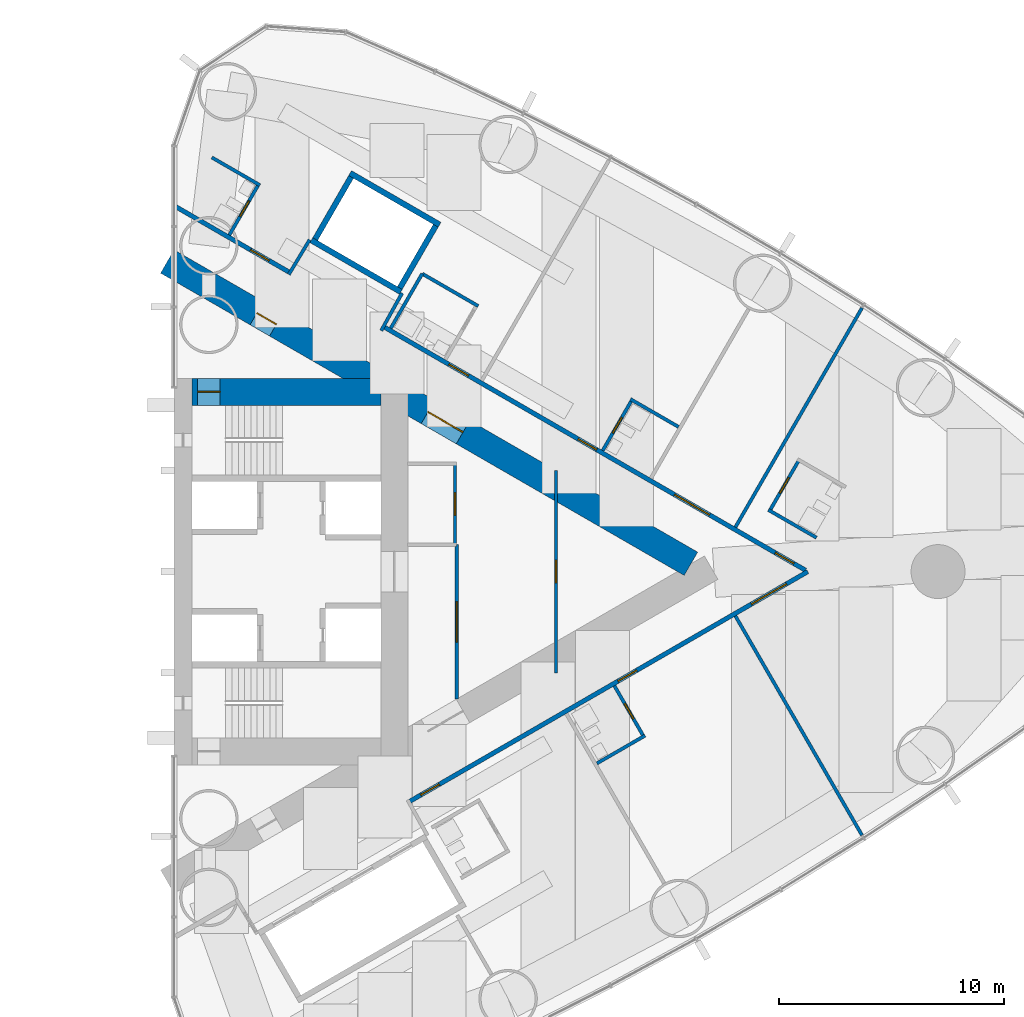
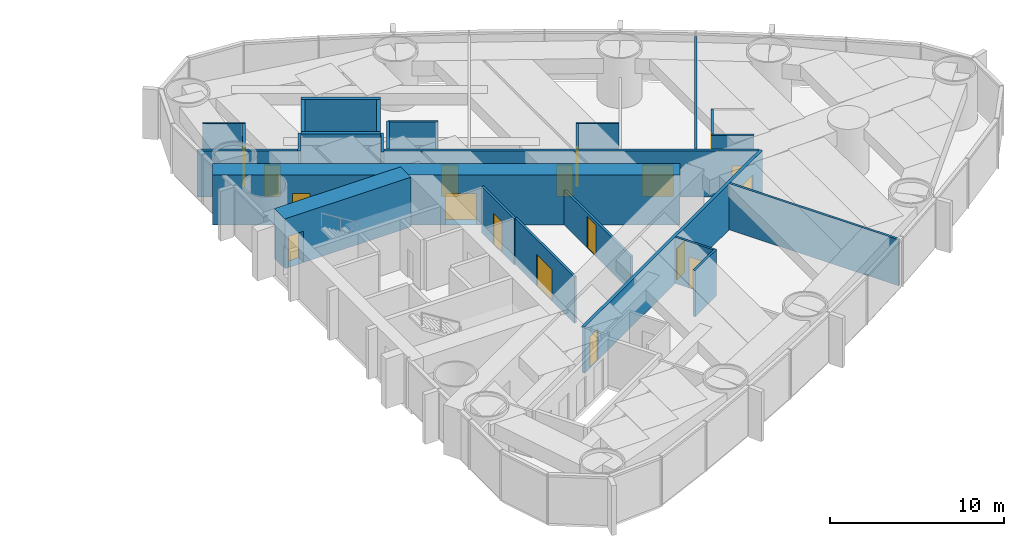
# One storey, part 15 of 19: 26 walls, 18 doors, 18 openings.
"""IFC4 building model written with IfcOpenShell, lengths in metres."""

from ifc_helpers import new_model, si_unit, direction, frame, frame_2d, origin, place, context, subcontext, project, spatial, rectangle, extrude, material, layer, layer_set, type_object, element, fill, save


model = new_model("IFC4")

# Units and contexts
model_context = context("Model", 3, precision=1e-05, world=origin(), true_north=direction((0.0, 1.0)))
body_context = subcontext(model_context, "Body", "Model", "MODEL_VIEW")
ifc_project = project(units=[si_unit("LENGTHUNIT", "METRE"), si_unit("AREAUNIT", "SQUARE_METRE"), si_unit("VOLUMEUNIT", "CUBIC_METRE"), si_unit("PLANEANGLEUNIT", "RADIAN"), si_unit("MASSUNIT", "GRAM", prefix="KILO")], contexts=[model_context])

# Site, building, storey
site_placement = place(None, origin())
site = spatial("IfcSite", under=ifc_project, at=site_placement, CompositionType="ELEMENT")
building_placement = place(site_placement, origin())
building = spatial("IfcBuilding", under=site, at=building_placement, Name="Lancet Gate Hotel", CompositionType="ELEMENT")
storey_placement = place(building_placement, frame((0.0, 0.0, 132.60009765625)))
storey = spatial("IfcBuildingStorey", under=building, at=storey_placement, Name="L35", CompositionType="ELEMENT", Elevation=132.60009765625)

# Wall
ifc_material_1 = material(Name="Moisture resistant board partition")
ifc_layer_1 = layer(ifc_material_1, 0.14990234375)
ifc_layer_set_1 = layer_set([ifc_layer_1], Name="Bathroom wall 150")
wall_type_1 = type_object("IfcWallType", Name="Bathroom wall 150", PredefinedType="PARTITIONING", material=ifc_layer_set_1)
wall_1_placement = place(storey_placement, frame((46.318603515625, -8.535400390625, 0.0), z_axis=(0.0, 0.0, 1.0), x_axis=(0.866006523861, 0.500032699561, 0.0)))
element("IfcWall", 1, at=wall_1_placement, inside=storey, type_object=wall_type_1, Name="T2 bathroom wall 150 L35", PredefinedType="PARTITIONING", context=body_context, shape_type="SweptSolid", body=[
    extrude(rectangle(XDim=2.474853515625, YDim=0.14990234375, at=frame_2d((1.2373046875, 0.0))), origin(), (0.0, 0.0, 1.0), 3.25),
])

# Wall, opening, door
wall_2_placement = place(storey_placement, frame((47.096923828125, -5.083740234375, 0.0), z_axis=(0.0, 0.0, 1.0), x_axis=(0.500006934395, -0.866021400173, 0.0)))
wall_2 = element("IfcWall", 2, at=wall_2_placement, inside=storey, type_object=wall_type_1, Name="T2 bathroom wall 150 L35", PredefinedType="PARTITIONING", context=body_context, shape_type="SweptSolid", body=[
    extrude(rectangle(XDim=2.60009765625, YDim=0.14990234375, at=frame_2d((1.300048828125, 0.0))), origin(), (0.0, 0.0, 1.0), 3.25),
])
opening_1_placement = place(wall_2_placement, frame((0.89990234375, 0.0, 0.0)))
opening_1 = element("IfcOpeningElement", 3, at=opening_1_placement, cuts=wall_2, Name="Opening 3555-B", PredefinedType="OPENING", context=body_context, shape_type="SweptSolid", body=[
    extrude(rectangle(XDim=0.800048828125, YDim=2.199951171875, at=frame_2d((0.39990234375, 1.10009765625))), frame((0.0, 0.0849609375, 0.0), z_axis=(0.0, -1.0, 0.0), x_axis=(1.0, 0.0, 0.0)), (0.0, 0.0, 1.0), 0.169921875),
])
ifc_material_2 = material(Name="Timber door set", Category="wood")
door_type_1 = type_object("IfcDoorType", Name="Bathroom door 800", OperationType="SINGLE_SWING_RIGHT", PredefinedType="DOOR", material=ifc_material_2)
door_1_placement = place(opening_1_placement, origin())
door_1 = element("IfcDoor", 4, at=door_1_placement, inside=storey, type_object=door_type_1, Name="3555-B", OperationType="SINGLE_SWING_RIGHT", OverallHeight=2.199951171875, OverallWidth=0.800048828125, PredefinedType="DOOR", context=body_context, shape_type="SweptSolid", body=[
    extrude(rectangle(XDim=0.800048828125, YDim=2.199951171875, at=frame_2d((0.39990234375, 1.10009765625))), frame((0.0, 0.02490234375, 0.0), z_axis=(0.0, -1.0, 0.0), x_axis=(1.0, 0.0, 0.0)), (0.0, 0.0, 1.0), 0.050048828125),
])
fill(opening_1, door_1)

wall_3_placement = place(storey_placement, frame((54.010009765625, 2.708984375, 0.0), z_axis=(0.0, 0.0, 1.0), x_axis=(0.500006934395, 0.866021400173, 0.0)))
wall_3 = element("IfcWall", 5, at=wall_3_placement, inside=storey, type_object=wall_type_1, Name="T2 bathroom wall 150 L35", PredefinedType="PARTITIONING", context=body_context, shape_type="SweptSolid", body=[
    extrude(rectangle(XDim=2.60009765625, YDim=0.14990234375, at=frame_2d((1.300048828125, 0.0))), origin(), (0.0, 0.0, 1.0), 3.25),
])
opening_2_placement = place(wall_3_placement, frame((0.89990234375, 0.0, 0.0)))
opening_2 = element("IfcOpeningElement", 6, at=opening_2_placement, cuts=wall_3, Name="Opening 3558-B", PredefinedType="OPENING", context=body_context, shape_type="SweptSolid", body=[
    extrude(rectangle(XDim=0.800048828125, YDim=2.199951171875, at=frame_2d((0.39990234375, 1.10009765625))), frame((0.0, 0.0849609375, 0.0), z_axis=(0.0, -1.0, 0.0), x_axis=(1.0, 0.0, 0.0)), (0.0, 0.0, 1.0), 0.169921875),
])
door_2_placement = place(opening_2_placement, origin())
door_2 = element("IfcDoor", 7, at=door_2_placement, inside=storey, type_object=door_type_1, Name="3558-B", OperationType="SINGLE_SWING_RIGHT", OverallHeight=2.199951171875, OverallWidth=0.800048828125, PredefinedType="DOOR", context=body_context, shape_type="SweptSolid", body=[
    extrude(rectangle(XDim=0.800048828125, YDim=2.199951171875, at=frame_2d((0.39990234375, 1.10009765625))), frame((0.0, 0.02490234375, 0.0), z_axis=(0.0, -1.0, 0.0), x_axis=(1.0, 0.0, 0.0)), (0.0, 0.0, 1.0), 0.050048828125),
])
fill(opening_2, door_2)

# Walls
for number, where, z_axis, x_axis, name in (
    (8, (53.945068359375, 2.74658203125, 0.0), (0.0, 0.0, 1.0), (0.866031185235, -0.4999899861, 0.0), "T2 bathroom wall 150 L35"),
    (9, (47.81005859375, 7.67431640625, 0.0), (0.0, 0.0, 1.0), (0.866031185235, -0.4999899861, 0.0), "T2 bathroom wall 150 L35"),
):
    element("IfcWall", number, at=place(storey_placement, frame(where, z_axis=z_axis, x_axis=x_axis)), inside=storey, type_object=wall_type_1, Name=name, PredefinedType="PARTITIONING", context=body_context, shape_type="SweptSolid", body=[
        extrude(rectangle(XDim=2.47509765625, YDim=0.14990234375, at=frame_2d((1.237548828125, 0.0))), origin(), (0.0, 0.0, 1.0), 3.25),
    ])

# Wall, opening, door
wall_4_placement = place(storey_placement, frame((46.574951171875, 5.385009765625, 0.0), z_axis=(0.0, 0.0, 1.0), x_axis=(0.500006934395, 0.866021400173, 0.0)))
wall_4 = element("IfcWall", 10, at=wall_4_placement, inside=storey, type_object=wall_type_1, Name="T2 bathroom wall 150 L35", PredefinedType="PARTITIONING", context=body_context, shape_type="SweptSolid", body=[
    extrude(rectangle(XDim=2.60009765625, YDim=0.14990234375, at=frame_2d((1.300048828125, 0.0))), origin(), (0.0, 0.0, 1.0), 3.25),
])
opening_3_placement = place(wall_4_placement, frame((0.89990234375, 0.0, 0.0)))
opening_3 = element("IfcOpeningElement", 11, at=opening_3_placement, cuts=wall_4, Name="Opening 3560-B", PredefinedType="OPENING", context=body_context, shape_type="SweptSolid", body=[
    extrude(rectangle(XDim=0.800048828125, YDim=2.199951171875, at=frame_2d((0.39990234375, 1.10009765625))), frame((0.0, 0.0849609375, 0.0), z_axis=(0.0, -1.0, 0.0), x_axis=(1.0, 0.0, 0.0)), (0.0, 0.0, 1.0), 0.169921875),
])
door_3_placement = place(opening_3_placement, origin())
door_3 = element("IfcDoor", 12, at=door_3_placement, inside=storey, type_object=door_type_1, Name="3560-B", OperationType="SINGLE_SWING_RIGHT", OverallHeight=2.199951171875, OverallWidth=0.800048828125, PredefinedType="DOOR", context=body_context, shape_type="SweptSolid", body=[
    extrude(rectangle(XDim=0.800048828125, YDim=2.199951171875, at=frame_2d((0.39990234375, 1.10009765625))), frame((0.0, 0.02490234375, 0.0), z_axis=(0.0, -1.0, 0.0), x_axis=(1.0, 0.0, 0.0)), (0.0, 0.0, 1.0), 0.050048828125),
])
fill(opening_3, door_3)

# Walls
wall_5_placement = place(storey_placement, frame((38.5439453125, 13.255126953125, 0.0), z_axis=(0.0, 0.0, 1.0), x_axis=(0.866018712932, -0.500011588718, 0.0)))
element("IfcWall", 13, at=wall_5_placement, inside=storey, type_object=wall_type_1, Name="T2 bathroom wall 150 L35", PredefinedType="PARTITIONING", context=body_context, shape_type="SweptSolid", body=[
    extrude(rectangle(XDim=2.875, YDim=0.14990234375, at=frame_2d((1.4375, 0.0))), origin(), (0.0, 0.0, 1.0), 3.25),
])
wall_6_placement = place(storey_placement, frame((37.143798828125, 10.830078125, 0.0), z_axis=(0.0, 0.0, 1.0), x_axis=(0.500011755427, 0.866018616679, 0.0)))
element("IfcWall", 14, at=wall_6_placement, inside=storey, type_object=wall_type_1, Name="T2 bathroom wall 150 L35", PredefinedType="PARTITIONING", context=body_context, shape_type="SweptSolid", body=[
    extrude(rectangle(XDim=2.80029296875, YDim=0.14990234375, at=frame_2d((1.400146484375, 0.0))), origin(), (0.0, 0.0, 1.0), 3.25),
])
wall_7_placement = place(storey_placement, frame((29.181884765625, 18.42919921875, 0.0), z_axis=(0.0, 0.0, 1.0), x_axis=(0.866006523861, -0.500032699561, 0.0)))
element("IfcWall", 15, at=wall_7_placement, inside=storey, type_object=wall_type_1, Name="T2 bathroom wall 150 L35", PredefinedType="PARTITIONING", context=body_context, shape_type="SweptSolid", body=[
    extrude(rectangle(XDim=2.474853515625, YDim=0.14990234375, at=frame_2d((1.2373046875, 0.0))), origin(), (0.0, 0.0, 1.0), 3.25),
])

# Wall, opening, door
wall_8_placement = place(storey_placement, frame((29.960205078125, 14.9775390625, 0.0), z_axis=(0.0, 0.0, 1.0), x_axis=(0.500006934395, 0.866021400173, 0.0)))
wall_8 = element("IfcWall", 16, at=wall_8_placement, inside=storey, type_object=wall_type_1, Name="T2 bathroom wall 150 L35", PredefinedType="PARTITIONING", context=body_context, shape_type="SweptSolid", body=[
    extrude(rectangle(XDim=2.60009765625, YDim=0.14990234375, at=frame_2d((1.300048828125, 0.0))), origin(), (0.0, 0.0, 1.0), 3.25),
])
opening_4_placement = place(wall_8_placement, frame((0.949951171875, 0.0, 0.0)))
opening_4 = element("IfcOpeningElement", 17, at=opening_4_placement, cuts=wall_8, Name="Opening 3564-B", PredefinedType="OPENING", context=body_context, shape_type="SweptSolid", body=[
    extrude(rectangle(XDim=0.800048828125, YDim=2.199951171875, at=frame_2d((0.39990234375, 1.10009765625))), frame((0.0, 0.0849609375, 0.0), z_axis=(0.0, -1.0, 0.0), x_axis=(1.0, 0.0, 0.0)), (0.0, 0.0, 1.0), 0.169921875),
])
door_4_placement = place(opening_4_placement, origin())
door_4 = element("IfcDoor", 18, at=door_4_placement, inside=storey, type_object=door_type_1, Name="3564-B", OperationType="SINGLE_SWING_RIGHT", OverallHeight=2.199951171875, OverallWidth=0.800048828125, PredefinedType="DOOR", context=body_context, shape_type="SweptSolid", body=[
    extrude(rectangle(XDim=0.800048828125, YDim=2.199951171875, at=frame_2d((0.39990234375, 1.10009765625))), frame((0.0, 0.02490234375, 0.0), z_axis=(0.0, -1.0, 0.0), x_axis=(1.0, 0.0, 0.0)), (0.0, 0.0, 1.0), 0.050048828125),
])
fill(opening_4, door_4)

# Wall, openings, doors
ifc_material_3 = material(Name="Concrete C70/85", Category="concrete")
ifc_layer_2 = layer(ifc_material_3, 1.199951171875)
ifc_layer_set_2 = layer_set([ifc_layer_2], Name="Buttress wall 1200")
wall_type_2 = type_object("IfcWallType", Name="Buttress wall 1200", PredefinedType="SHEAR", material=ifc_layer_set_2)
wall_9_placement = place(storey_placement, frame((27.199951171875, 13.800048828125, 0.0), z_axis=(0.0, 0.0, 1.0), x_axis=(0.866024515034, -0.500001539357, 0.0)))
wall_9 = element("IfcWall", 19, at=wall_9_placement, inside=storey, type_object=wall_type_2, Name="T2 buttress wall N L35", PredefinedType="SHEAR", context=body_context, shape_type="SweptSolid", body=[
    extrude(rectangle(XDim=26.9072265625, YDim=1.199951171875, at=frame_2d((13.45361328125, 0.0))), origin(), (0.0, 0.0, 1.0), 3.5),
])
opening_5_placement = place(wall_9_placement, frame((4.60009765625, 0.0, 0.0)))
opening_5 = element("IfcOpeningElement", 20, at=opening_5_placement, cuts=wall_9, Name="Opening T2-L35-LN", PredefinedType="OPENING", context=body_context, shape_type="SweptSolid", body=[
    extrude(rectangle(XDim=1.0, YDim=2.199951171875, at=frame_2d((0.5, 1.10009765625))), frame((0.0, 0.60986328125, 0.0), z_axis=(0.0, -1.0, 0.0), x_axis=(1.0, 0.0, 0.0)), (0.0, 0.0, 1.0), 1.219970703125),
])
opening_6_placement = place(wall_9_placement, frame((13.39453125, 0.0, 0.0)))
opening_6 = element("IfcOpeningElement", 21, at=opening_6_placement, cuts=wall_9, Name="Opening T2-L35-LHN", PredefinedType="OPENING", context=body_context, shape_type="SweptSolid", body=[
    extrude(rectangle(XDim=1.800048828125, YDim=2.199951171875, at=frame_2d((0.89990234375, 1.10009765625))), frame((0.0, 0.60986328125, 0.0), z_axis=(0.0, -1.0, 0.0), x_axis=(1.0, 0.0, 0.0)), (0.0, 0.0, 1.0), 1.219970703125),
])
ifc_material_4 = material(Name="Timber door set", Category="wood")
door_type_2 = type_object("IfcDoorType", Name="Lobby double door 1800", OperationType="DOUBLE_DOOR_SINGLE_SWING", PredefinedType="DOOR", material=ifc_material_4)
door_5_placement = place(opening_6_placement, origin())
door_5 = element("IfcDoor", 22, at=door_5_placement, inside=storey, type_object=door_type_2, Name="T2-L35-LHN", OperationType="DOUBLE_DOOR_SINGLE_SWING", OverallHeight=2.199951171875, OverallWidth=1.800048828125, PredefinedType="DOOR", context=body_context, shape_type="SweptSolid", body=[
    extrude(rectangle(XDim=1.800048828125, YDim=2.199951171875, at=frame_2d((0.89990234375, 1.10009765625))), frame((0.0, 0.02490234375, 0.0), z_axis=(0.0, -1.0, 0.0), x_axis=(1.0, 0.0, 0.0)), (0.0, 0.0, 1.0), 0.050048828125),
])
fill(opening_6, door_5)
ifc_material_5 = material(Name="Timber door set", Category="wood")
door_type_3 = type_object("IfcDoorType", Name="Stair lobby door 1000", OperationType="SINGLE_SWING_LEFT", PredefinedType="DOOR", material=ifc_material_5)
door_6_placement = place(opening_5_placement, origin())
door_6 = element("IfcDoor", 23, at=door_6_placement, inside=storey, type_object=door_type_3, Name="T2-L35-LN", OperationType="SINGLE_SWING_LEFT", OverallHeight=2.199951171875, OverallWidth=1.0, PredefinedType="DOOR", context=body_context, shape_type="SweptSolid", body=[
    extrude(rectangle(XDim=1.0, YDim=2.199951171875, at=frame_2d((0.5, 1.10009765625))), frame((0.0, 0.02490234375, 0.0), z_axis=(0.0, -1.0, 0.0), x_axis=(1.0, 0.0, 0.0)), (0.0, 0.0, 1.0), 0.050048828125),
])
fill(opening_5, door_6)

# Wall, opening, door
ifc_material_6 = material(Name="Concrete C70/85", Category="concrete")
ifc_layer_3 = layer(ifc_material_6, 1.199951171875)
ifc_layer_set_3 = layer_set([ifc_layer_3], Name="Core wall 1200")
wall_type_3 = type_object("IfcWallType", Name="Core wall 1200", PredefinedType="SHEAR", material=ifc_layer_set_3)
wall_10_placement = place(storey_placement, frame((28.300048828125, 8.0, 0.0), z_axis=(0.0, 0.0, 1.0), x_axis=(1.0, 0.0, 0.0)))
wall_10 = element("IfcWall", 24, at=wall_10_placement, inside=storey, type_object=wall_type_3, Name="T2 core wall side-N L35", PredefinedType="SHEAR", context=body_context, shape_type="SweptSolid", body=[
    extrude(rectangle(XDim=8.39990234375, YDim=1.199951171875, at=frame_2d((4.199951171875, 0.0))), origin(), (0.0, 0.0, 1.0), 3.5),
])
opening_7_placement = place(wall_10_placement, frame((0.25, 0.0, 0.0)))
opening_7 = element("IfcOpeningElement", 25, at=opening_7_placement, cuts=wall_10, Name="Opening T2-L35-ST2", PredefinedType="OPENING", context=body_context, shape_type="SweptSolid", body=[
    extrude(rectangle(XDim=1.0, YDim=2.199951171875, at=frame_2d((0.5, 1.10009765625))), frame((0.0, 0.60986328125, 0.0), z_axis=(0.0, -1.0, 0.0), x_axis=(1.0, 0.0, 0.0)), (0.0, 0.0, 1.0), 1.219970703125),
])
ifc_material_7 = material(Name="Timber door set", Category="wood")
door_type_4 = type_object("IfcDoorType", Name="Stair door 1000", OperationType="SINGLE_SWING_RIGHT", PredefinedType="DOOR", material=ifc_material_7)
door_7_placement = place(opening_7_placement, origin())
door_7 = element("IfcDoor", 26, at=door_7_placement, inside=storey, type_object=door_type_4, Name="T2-L35-ST2", OperationType="SINGLE_SWING_RIGHT", OverallHeight=2.199951171875, OverallWidth=1.0, PredefinedType="DOOR", context=body_context, shape_type="SweptSolid", body=[
    extrude(rectangle(XDim=1.0, YDim=2.199951171875, at=frame_2d((0.5, 1.10009765625))), frame((0.0, 0.02490234375, 0.0), z_axis=(0.0, -1.0, 0.0), x_axis=(1.0, 0.0, 0.0)), (0.0, 0.0, 1.0), 0.050048828125),
])
fill(opening_7, door_7)

# Wall, openings, doors
ifc_material_8 = material(Name="Gypsum board partition")
ifc_layer_4 = layer(ifc_material_8, 0.199951171875)
ifc_layer_set_4 = layer_set([ifc_layer_4], Name="Corridor wall 200")
wall_type_4 = type_object("IfcWallType", Name="Corridor wall 200", PredefinedType="PARTITIONING", material=ifc_layer_set_4)
wall_11_placement = place(storey_placement, frame((37.9599609375, -10.243408203125, 0.0), z_axis=(0.0, 0.0, 1.0), x_axis=(0.866026429433, 0.499998223521, 0.0)))
wall_11 = element("IfcWall", 27, at=wall_11_placement, inside=storey, type_object=wall_type_4, Name="T2 corridor wall 200 L35", PredefinedType="PARTITIONING", context=body_context, shape_type="SweptSolid", body=[
    extrude(rectangle(XDim=20.48681640625, YDim=0.199951171875, at=frame_2d((10.243408203125, 0.0))), origin(), (0.0, 0.0, 1.0), 3.25),
])
opening_8_placement = place(wall_11_placement, frame((10.74267578125, 0.0, 0.0)))
opening_8 = element("IfcOpeningElement", 28, at=opening_8_placement, cuts=wall_11, Name="Opening 3555-E", PredefinedType="OPENING", context=body_context, shape_type="SweptSolid", body=[
    extrude(rectangle(XDim=0.949951171875, YDim=2.199951171875, at=frame_2d((0.47509765625, 1.10009765625))), frame((0.0, 0.10986328125, 0.0), z_axis=(0.0, -1.0, 0.0), x_axis=(1.0, 0.0, 0.0)), (0.0, 0.0, 1.0), 0.219970703125),
])
opening_9_placement = place(wall_11_placement, frame((17.5859375, 0.0, 0.0)))
opening_9 = element("IfcOpeningElement", 29, at=opening_9_placement, cuts=wall_11, Name="Opening 3557-E", PredefinedType="OPENING", context=body_context, shape_type="SweptSolid", body=[
    extrude(rectangle(XDim=1.800048828125, YDim=2.199951171875, at=frame_2d((0.89990234375, 1.10009765625))), frame((0.0, 0.10986328125, 0.0), z_axis=(0.0, -1.0, 0.0), x_axis=(1.0, 0.0, 0.0)), (0.0, 0.0, 1.0), 0.219970703125),
])
opening_10_placement = place(wall_11_placement, frame((0.60009765625, 0.0, 0.0)))
opening_10 = element("IfcOpeningElement", 30, at=opening_10_placement, cuts=wall_11, Name="Opening 3553-E", PredefinedType="OPENING", context=body_context, shape_type="SweptSolid", body=[
    extrude(rectangle(XDim=0.949951171875, YDim=2.199951171875, at=frame_2d((0.47509765625, 1.10009765625))), frame((0.0, 0.10986328125, 0.0), z_axis=(0.0, -1.0, 0.0), x_axis=(1.0, 0.0, 0.0)), (0.0, 0.0, 1.0), 0.219970703125),
])
ifc_material_9 = material(Name="Timber door set", Category="wood")
door_type_5 = type_object("IfcDoorType", Name="Double door 1800", OperationType="DOUBLE_DOOR_SINGLE_SWING", PredefinedType="DOOR", material=ifc_material_9)
door_8_placement = place(opening_9_placement, origin())
door_8 = element("IfcDoor", 31, at=door_8_placement, inside=storey, type_object=door_type_5, Name="3557-E", OperationType="DOUBLE_DOOR_SINGLE_SWING", OverallHeight=2.199951171875, OverallWidth=1.800048828125, PredefinedType="DOOR", context=body_context, shape_type="SweptSolid", body=[
    extrude(rectangle(XDim=1.800048828125, YDim=2.199951171875, at=frame_2d((0.89990234375, 1.10009765625))), frame((0.0, 0.02490234375, 0.0), z_axis=(0.0, -1.0, 0.0), x_axis=(1.0, 0.0, 0.0)), (0.0, 0.0, 1.0), 0.050048828125),
])
fill(opening_9, door_8)
ifc_material_10 = material(Name="Timber door set", Category="wood")
door_type_6 = type_object("IfcDoorType", Name="Guest room entry door 950", OperationType="SINGLE_SWING_LEFT", PredefinedType="DOOR", material=ifc_material_10)
door_9_placement = place(opening_8_placement, origin())
door_9 = element("IfcDoor", 32, at=door_9_placement, inside=storey, type_object=door_type_6, Name="3555-E", OperationType="SINGLE_SWING_LEFT", OverallHeight=2.199951171875, OverallWidth=0.949951171875, PredefinedType="DOOR", context=body_context, shape_type="SweptSolid", body=[
    extrude(rectangle(XDim=0.949951171875, YDim=2.199951171875, at=frame_2d((0.47509765625, 1.10009765625))), frame((0.0, 0.02490234375, 0.0), z_axis=(0.0, -1.0, 0.0), x_axis=(1.0, 0.0, 0.0)), (0.0, 0.0, 1.0), 0.050048828125),
])
fill(opening_8, door_9)
door_10_placement = place(opening_10_placement, origin())
door_10 = element("IfcDoor", 33, at=door_10_placement, inside=storey, type_object=door_type_6, Name="3553-E", OperationType="SINGLE_SWING_LEFT", OverallHeight=2.199951171875, OverallWidth=0.949951171875, PredefinedType="DOOR", context=body_context, shape_type="SweptSolid", body=[
    extrude(rectangle(XDim=0.949951171875, YDim=2.199951171875, at=frame_2d((0.47509765625, 1.10009765625))), frame((0.0, 0.02490234375, 0.0), z_axis=(0.0, -1.0, 0.0), x_axis=(1.0, 0.0, 0.0)), (0.0, 0.0, 1.0), 0.050048828125),
])
fill(opening_10, door_10)

# Wall, opening, door
wall_12_placement = place(storey_placement, frame((27.572021484375, 16.240966796875, 0.0), z_axis=(0.0, 0.0, 1.0), x_axis=(0.866032814021, -0.499987164874, 0.0)))
wall_12 = element("IfcWall", 34, at=wall_12_placement, inside=storey, type_object=wall_type_4, Name="T2 corridor wall 200 L35", PredefinedType="PARTITIONING", context=body_context, shape_type="SweptSolid", body=[
    extrude(rectangle(XDim=5.854736328125, YDim=0.199951171875, at=frame_2d((2.92724609375, 0.0))), origin(), (0.0, 0.0, 1.0), 3.25),
])
opening_11_placement = place(wall_12_placement, frame((3.85009765625, 0.0, 0.0)))
opening_11 = element("IfcOpeningElement", 35, at=opening_11_placement, cuts=wall_12, Name="Opening 3564-E", PredefinedType="OPENING", context=body_context, shape_type="SweptSolid", body=[
    extrude(rectangle(XDim=0.949951171875, YDim=2.199951171875, at=frame_2d((0.47509765625, 1.10009765625))), frame((0.0, 0.10986328125, 0.0), z_axis=(0.0, -1.0, 0.0), x_axis=(1.0, 0.0, 0.0)), (0.0, 0.0, 1.0), 0.219970703125),
])
door_11_placement = place(opening_11_placement, origin())
door_11 = element("IfcDoor", 36, at=door_11_placement, inside=storey, type_object=door_type_6, Name="3564-E", OperationType="SINGLE_SWING_LEFT", OverallHeight=2.199951171875, OverallWidth=0.949951171875, PredefinedType="DOOR", context=body_context, shape_type="SweptSolid", body=[
    extrude(rectangle(XDim=0.949951171875, YDim=2.199951171875, at=frame_2d((0.47509765625, 1.10009765625))), frame((0.0, 0.02490234375, 0.0), z_axis=(0.0, -1.0, 0.0), x_axis=(1.0, 0.0, 0.0)), (0.0, 0.0, 1.0), 0.050048828125),
])
fill(opening_11, door_11)

# Wall, openings, doors
wall_13_placement = place(storey_placement, frame((36.833984375, 10.8935546875, 0.0), z_axis=(0.0, 0.0, 1.0), x_axis=(0.866028157229, -0.499995230863, 0.0)))
wall_13 = element("IfcWall", 37, at=wall_13_placement, inside=storey, type_object=wall_type_4, Name="T2 corridor wall 200 L35", PredefinedType="PARTITIONING", context=body_context, shape_type="SweptSolid", body=[
    extrude(rectangle(XDim=21.667236328125, YDim=0.199951171875, at=frame_2d((10.83349609375, 0.0))), origin(), (0.0, 0.0, 1.0), 3.25),
])
opening_12_placement = place(wall_13_placement, frame((20.1171875, 0.0, 0.0)))
opening_12 = element("IfcOpeningElement", 38, at=opening_12_placement, cuts=wall_13, Name="Opening 3558-E", PredefinedType="OPENING", context=body_context, shape_type="SweptSolid", body=[
    extrude(rectangle(XDim=0.949951171875, YDim=2.199951171875, at=frame_2d((0.47509765625, 1.10009765625))), frame((0.0, 0.10986328125, 0.0), z_axis=(0.0, -1.0, 0.0), x_axis=(1.0, 0.0, 0.0)), (0.0, 0.0, 1.0), 0.219970703125),
])
opening_13_placement = place(wall_13_placement, frame((14.937744140625, 0.0, 0.0)))
opening_13 = element("IfcOpeningElement", 39, at=opening_13_placement, cuts=wall_13, Name="Opening 3559-E", PredefinedType="OPENING", context=body_context, shape_type="SweptSolid", body=[
    extrude(rectangle(XDim=1.800048828125, YDim=2.199951171875, at=frame_2d((0.89990234375, 1.10009765625))), frame((0.0, 0.10986328125, 0.0), z_axis=(0.0, -1.0, 0.0), x_axis=(1.0, 0.0, 0.0)), (0.0, 0.0, 1.0), 0.219970703125),
])
opening_14_placement = place(wall_13_placement, frame((9.990234375, 0.0, 0.0)))
opening_14 = element("IfcOpeningElement", 40, at=opening_14_placement, cuts=wall_13, Name="Opening 3560-E", PredefinedType="OPENING", context=body_context, shape_type="SweptSolid", body=[
    extrude(rectangle(XDim=0.949951171875, YDim=2.199951171875, at=frame_2d((0.47509765625, 1.10009765625))), frame((0.0, 0.10986328125, 0.0), z_axis=(0.0, -1.0, 0.0), x_axis=(1.0, 0.0, 0.0)), (0.0, 0.0, 1.0), 0.219970703125),
])
opening_15_placement = place(wall_13_placement, frame((3.35009765625, 0.0, 0.0)))
opening_15 = element("IfcOpeningElement", 41, at=opening_15_placement, cuts=wall_13, Name="Opening 3562-E", PredefinedType="OPENING", context=body_context, shape_type="SweptSolid", body=[
    extrude(rectangle(XDim=1.0, YDim=2.199951171875, at=frame_2d((0.5, 1.10009765625))), frame((0.0, 0.10986328125, 0.0), z_axis=(0.0, -1.0, 0.0), x_axis=(1.0, 0.0, 0.0)), (0.0, 0.0, 1.0), 0.219970703125),
])
ifc_material_11 = material(Name="Timber door set", Category="wood")
door_type_7 = type_object("IfcDoorType", Name="Accessible guest room door 1000", OperationType="SINGLE_SWING_LEFT", PredefinedType="DOOR", material=ifc_material_11)
door_12_placement = place(opening_15_placement, origin())
door_12 = element("IfcDoor", 42, at=door_12_placement, inside=storey, type_object=door_type_7, Name="3562-E", OperationType="SINGLE_SWING_LEFT", OverallHeight=2.199951171875, OverallWidth=1.0, PredefinedType="DOOR", context=body_context, shape_type="SweptSolid", body=[
    extrude(rectangle(XDim=1.0, YDim=2.199951171875, at=frame_2d((0.5, 1.10009765625))), frame((0.0, 0.02490234375, 0.0), z_axis=(0.0, -1.0, 0.0), x_axis=(1.0, 0.0, 0.0)), (0.0, 0.0, 1.0), 0.050048828125),
])
fill(opening_15, door_12)
door_13_placement = place(opening_13_placement, origin())
door_13 = element("IfcDoor", 43, at=door_13_placement, inside=storey, type_object=door_type_5, Name="3559-E", OperationType="DOUBLE_DOOR_SINGLE_SWING", OverallHeight=2.199951171875, OverallWidth=1.800048828125, PredefinedType="DOOR", context=body_context, shape_type="SweptSolid", body=[
    extrude(rectangle(XDim=1.800048828125, YDim=2.199951171875, at=frame_2d((0.89990234375, 1.10009765625))), frame((0.0, 0.02490234375, 0.0), z_axis=(0.0, -1.0, 0.0), x_axis=(1.0, 0.0, 0.0)), (0.0, 0.0, 1.0), 0.050048828125),
])
fill(opening_13, door_13)
door_14_placement = place(opening_12_placement, origin())
door_14 = element("IfcDoor", 44, at=door_14_placement, inside=storey, type_object=door_type_6, Name="3558-E", OperationType="SINGLE_SWING_LEFT", OverallHeight=2.199951171875, OverallWidth=0.949951171875, PredefinedType="DOOR", context=body_context, shape_type="SweptSolid", body=[
    extrude(rectangle(XDim=0.949951171875, YDim=2.199951171875, at=frame_2d((0.47509765625, 1.10009765625))), frame((0.0, 0.02490234375, 0.0), z_axis=(0.0, -1.0, 0.0), x_axis=(1.0, 0.0, 0.0)), (0.0, 0.0, 1.0), 0.050048828125),
])
fill(opening_12, door_14)
door_15_placement = place(opening_14_placement, origin())
door_15 = element("IfcDoor", 45, at=door_15_placement, inside=storey, type_object=door_type_6, Name="3560-E", OperationType="SINGLE_SWING_LEFT", OverallHeight=2.199951171875, OverallWidth=0.949951171875, PredefinedType="DOOR", context=body_context, shape_type="SweptSolid", body=[
    extrude(rectangle(XDim=0.949951171875, YDim=2.199951171875, at=frame_2d((0.47509765625, 1.10009765625))), frame((0.0, 0.02490234375, 0.0), z_axis=(0.0, -1.0, 0.0), x_axis=(1.0, 0.0, 0.0)), (0.0, 0.0, 1.0), 0.050048828125),
])
fill(opening_14, door_15)

# Walls
ifc_material_12 = material(Name="Gypsum board partition")
ifc_layer_5 = layer(ifc_material_12, 0.25)
ifc_layer_set_5 = layer_set([ifc_layer_5], Name="Lift shaft partition 250")
wall_type_5 = type_object("IfcWallType", Name="Lift shaft partition 250", PredefinedType="PARTITIONING", material=ifc_layer_set_5)
for number, where, z_axis, x_axis, name in (
    (46, (33.6083984375, 14.747314453125, 0.0), (0.0, 0.0, 1.0), (0.866043305498, -0.49996899204, 0.0), "T2 lift shaft wall EX L35"),
    (47, (35.33349609375, 17.73583984375, 0.0), (0.0, 0.0, 1.0), (0.866043305498, -0.49996899204, 0.0), "T2 lift shaft wall EX L35"),
):
    element("IfcWall", number, at=place(storey_placement, frame(where, z_axis=z_axis, x_axis=x_axis)), inside=storey, type_object=wall_type_5, Name=name, PredefinedType="PARTITIONING", context=body_context, shape_type="SweptSolid", body=[
        extrude(rectangle(XDim=4.600341796875, YDim=0.25, at=frame_2d((2.30029296875, 0.0))), origin(), (0.0, 0.0, 1.0), 3.25),
    ])
for number, where, z_axis, x_axis, name in (
    (48, (33.779296875, 14.79296875, 0.0), (0.0, 0.0, 1.0), (0.499929347863, 0.866066190972, 0.0), "T2 lift shaft wall EX L35"),
    (49, (37.546630859375, 12.617919921875, 0.0), (0.0, 0.0, 1.0), (0.499929347863, 0.866066190972, 0.0), "T2 lift shaft wall EX L35"),
):
    element("IfcWall", number, at=place(storey_placement, frame(where, z_axis=z_axis, x_axis=x_axis)), inside=storey, type_object=wall_type_5, Name=name, PredefinedType="PARTITIONING", context=body_context, shape_type="SweptSolid", body=[
        extrude(rectangle(XDim=3.20068359375, YDim=0.25, at=frame_2d((1.600341796875, 0.0))), origin(), (0.0, 0.0, 1.0), 3.25),
    ])
ifc_material_13 = material(Name="Gypsum board partition")
ifc_layer_6 = layer(ifc_material_13, 0.14990234375)
ifc_layer_set_6 = layer_set([ifc_layer_6], Name="Party wall 150")
wall_type_6 = type_object("IfcWallType", Name="Party wall 150", PredefinedType="PARTITIONING", material=ifc_layer_set_6)
for number, where, z_axis, x_axis, name in (
    (50, (52.4814453125, -1.97509765625, 0.0), (0.0, 0.0, 1.0), (0.500003867771, -0.866023170714, 0.0), "T2 party wall 150 L35"),
    (51, (52.4814453125, 1.97509765625, 0.0), (0.0, 0.0, 1.0), (0.500003867771, 0.866023170714, 0.0), "T2 party wall 150 L35"),
):
    element("IfcWall", number, at=place(storey_placement, frame(where, z_axis=z_axis, x_axis=x_axis)), inside=storey, type_object=wall_type_6, Name=name, PredefinedType="PARTITIONING", context=body_context, shape_type="SweptSolid", body=[
        extrude(rectangle(XDim=11.2646484375, YDim=0.14990234375, at=frame_2d((5.63232421875, 0.0))), origin(), (0.0, 0.0, 1.0), 3.25),
    ])
ifc_material_14 = material(Name="Gypsum board partition")
ifc_layer_7 = layer(ifc_material_14, 0.14990234375)
ifc_layer_set_7 = layer_set([ifc_layer_7], Name="Service room wall 150")
wall_type_7 = type_object("IfcWallType", Name="Service room wall 150", PredefinedType="PARTITIONING", material=ifc_layer_set_7)
wall_14_placement = place(storey_placement, frame((36.718505859375, 10.723388671875, 0.0), z_axis=(0.0, 0.0, 1.0), x_axis=(0.486348184724, 0.87376509613, 0.0)))
element("IfcWall", 52, at=wall_14_placement, inside=storey, type_object=wall_type_7, Name="T2 service room wall 150 L35", PredefinedType="PARTITIONING", context=body_context, shape_type="SweptSolid", body=[
    extrude(rectangle(XDim=1.91015625, YDim=0.14990234375, at=frame_2d((0.955078125, 0.0))), origin(), (0.0, 0.0, 1.0), 3.25),
])
wall_15_placement = place(storey_placement, frame((33.533447265625, 14.767333984375, 0.0), z_axis=(0.0, 0.0, 1.0), x_axis=(-0.514296815006, -0.857612258585, 0.0)))
element("IfcWall", 53, at=wall_15_placement, inside=storey, type_object=wall_type_7, Name="T2 service room wall 150 L35", PredefinedType="PARTITIONING", context=body_context, shape_type="SweptSolid", body=[
    extrude(rectangle(XDim=1.804931640625, YDim=0.14990234375, at=frame_2d((0.90234375, 0.0))), origin(), (0.0, 0.0, 1.0), 3.25),
])

# Wall, opening, door
wall_16_placement = place(storey_placement, frame((40.0, 1.125, 0.0), z_axis=(0.0, 0.0, 1.0), x_axis=(0.0, 1.0, 0.0)))
wall_16 = element("IfcWall", 54, at=wall_16_placement, inside=storey, type_object=wall_type_7, Name="T2 service room wall 150 L35", PredefinedType="PARTITIONING", context=body_context, shape_type="SweptSolid", body=[
    extrude(rectangle(XDim=3.75, YDim=0.14990234375, at=frame_2d((1.875, 0.0))), origin(), (0.0, 0.0, 1.0), 3.25),
])
opening_16_placement = place(wall_16_placement, frame((1.375, 0.0, 0.0)))
opening_16 = element("IfcOpeningElement", 55, at=opening_16_placement, cuts=wall_16, Name="Opening T2-L35-HRN0", PredefinedType="OPENING", context=body_context, shape_type="SweptSolid", body=[
    extrude(rectangle(XDim=1.0, YDim=2.199951171875, at=frame_2d((0.5, 1.10009765625))), frame((0.0, 0.0849609375, 0.0), z_axis=(0.0, -1.0, 0.0), x_axis=(1.0, 0.0, 0.0)), (0.0, 0.0, 1.0), 0.169921875),
])
ifc_material_15 = material(Name="Timber door set", Category="wood")
door_type_8 = type_object("IfcDoorType", Name="Service door 1000", OperationType="SINGLE_SWING_LEFT", PredefinedType="DOOR", material=ifc_material_15)
door_16_placement = place(opening_16_placement, origin())
door_16 = element("IfcDoor", 56, at=door_16_placement, inside=storey, type_object=door_type_8, Name="T2-L35-HRN0", OperationType="SINGLE_SWING_LEFT", OverallHeight=2.199951171875, OverallWidth=1.0, PredefinedType="DOOR", context=body_context, shape_type="SweptSolid", body=[
    extrude(rectangle(XDim=1.0, YDim=2.199951171875, at=frame_2d((0.5, 1.10009765625))), frame((0.0, 0.02490234375, 0.0), z_axis=(0.0, -1.0, 0.0), x_axis=(1.0, 0.0, 0.0)), (0.0, 0.0, 1.0), 0.050048828125),
])
fill(opening_16, door_16)

wall_17_placement = place(storey_placement, frame((40.074951171875, -5.673828125, 0.0), z_axis=(0.0, 0.0, 1.0), x_axis=(0.0, 1.0, 0.0)))
wall_17 = element("IfcWall", 57, at=wall_17_placement, inside=storey, type_object=wall_type_7, Name="T2 service room wall 150 L35", PredefinedType="PARTITIONING", context=body_context, shape_type="SweptSolid", body=[
    extrude(rectangle(XDim=6.873779296875, YDim=0.14990234375, at=frame_2d((3.43701171875, 0.0))), origin(), (0.0, 0.0, 1.0), 3.25),
])
opening_17_placement = place(wall_17_placement, frame((2.536865234375, 0.0, 0.0)))
opening_17 = element("IfcOpeningElement", 58, at=opening_17_placement, cuts=wall_17, Name="Opening T2-L35-LH", PredefinedType="OPENING", context=body_context, shape_type="SweptSolid", body=[
    extrude(rectangle(XDim=1.800048828125, YDim=2.199951171875, at=frame_2d((0.89990234375, 1.10009765625))), frame((0.0, 0.0849609375, 0.0), z_axis=(0.0, -1.0, 0.0), x_axis=(1.0, 0.0, 0.0)), (0.0, 0.0, 1.0), 0.169921875),
])
door_17_placement = place(opening_17_placement, origin())
door_17 = element("IfcDoor", 59, at=door_17_placement, inside=storey, type_object=door_type_2, Name="T2-L35-LH", OperationType="DOUBLE_DOOR_SINGLE_SWING", OverallHeight=2.199951171875, OverallWidth=1.800048828125, PredefinedType="DOOR", context=body_context, shape_type="SweptSolid", body=[
    extrude(rectangle(XDim=1.800048828125, YDim=2.199951171875, at=frame_2d((0.89990234375, 1.10009765625))), frame((0.0, 0.02490234375, 0.0), z_axis=(0.0, -1.0, 0.0), x_axis=(1.0, 0.0, 0.0)), (0.0, 0.0, 1.0), 0.050048828125),
])
fill(opening_17, door_17)

wall_18_placement = place(storey_placement, frame((44.5, -4.504638671875, 0.0), z_axis=(0.0, 0.0, 1.0), x_axis=(0.0, 1.0, 0.0)))
wall_18 = element("IfcWall", 60, at=wall_18_placement, inside=storey, type_object=wall_type_7, Name="T2 service room wall 150 L35", PredefinedType="PARTITIONING", context=body_context, shape_type="SweptSolid", body=[
    extrude(rectangle(XDim=9.00927734375, YDim=0.14990234375, at=frame_2d((4.504638671875, 0.0))), origin(), (0.0, 0.0, 1.0), 2.449951171875),
])
opening_18_placement = place(wall_18_placement, frame((4.004638671875, 0.0, 0.0)))
opening_18 = element("IfcOpeningElement", 61, at=opening_18_placement, cuts=wall_18, Name="Opening T2-L35-SV", PredefinedType="OPENING", context=body_context, shape_type="SweptSolid", body=[
    extrude(rectangle(XDim=1.0, YDim=2.199951171875, at=frame_2d((0.5, 1.10009765625))), frame((0.0, 0.0849609375, 0.0), z_axis=(0.0, -1.0, 0.0), x_axis=(1.0, 0.0, 0.0)), (0.0, 0.0, 1.0), 0.169921875),
])
door_18_placement = place(opening_18_placement, origin())
door_18 = element("IfcDoor", 62, at=door_18_placement, inside=storey, type_object=door_type_8, Name="T2-L35-SV", OperationType="SINGLE_SWING_LEFT", OverallHeight=2.199951171875, OverallWidth=1.0, PredefinedType="DOOR", context=body_context, shape_type="SweptSolid", body=[
    extrude(rectangle(XDim=1.0, YDim=2.199951171875, at=frame_2d((0.5, 1.10009765625))), frame((0.0, 0.02490234375, 0.0), z_axis=(0.0, -1.0, 0.0), x_axis=(1.0, 0.0, 0.0)), (0.0, 0.0, 1.0), 0.050048828125),
])
fill(opening_18, door_18)

save(model, "model.ifc")
